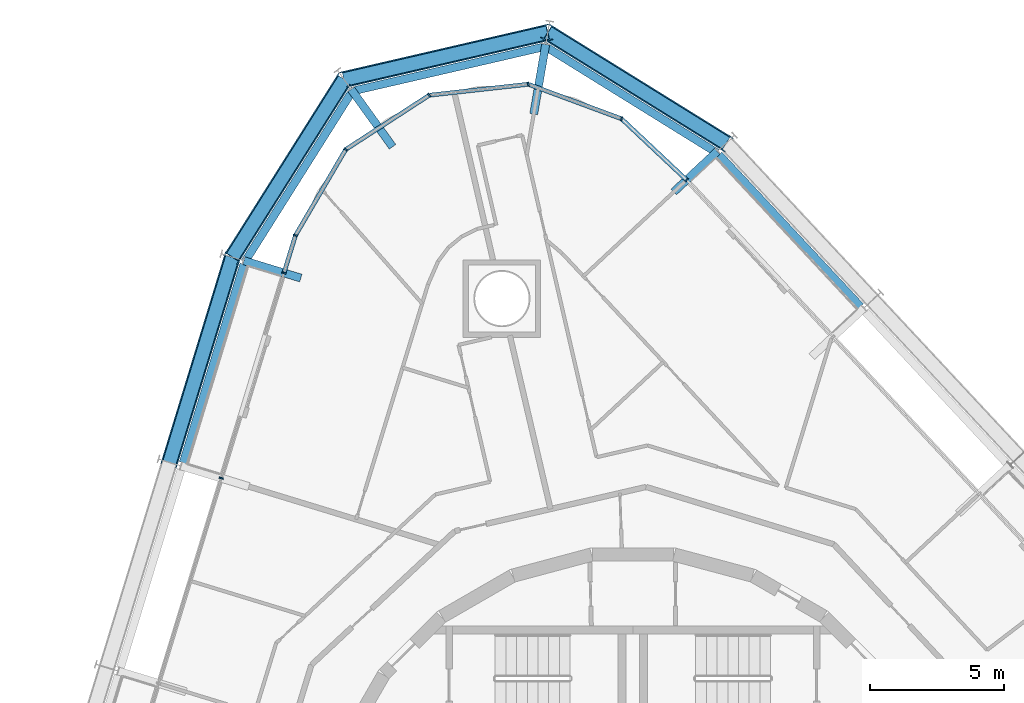
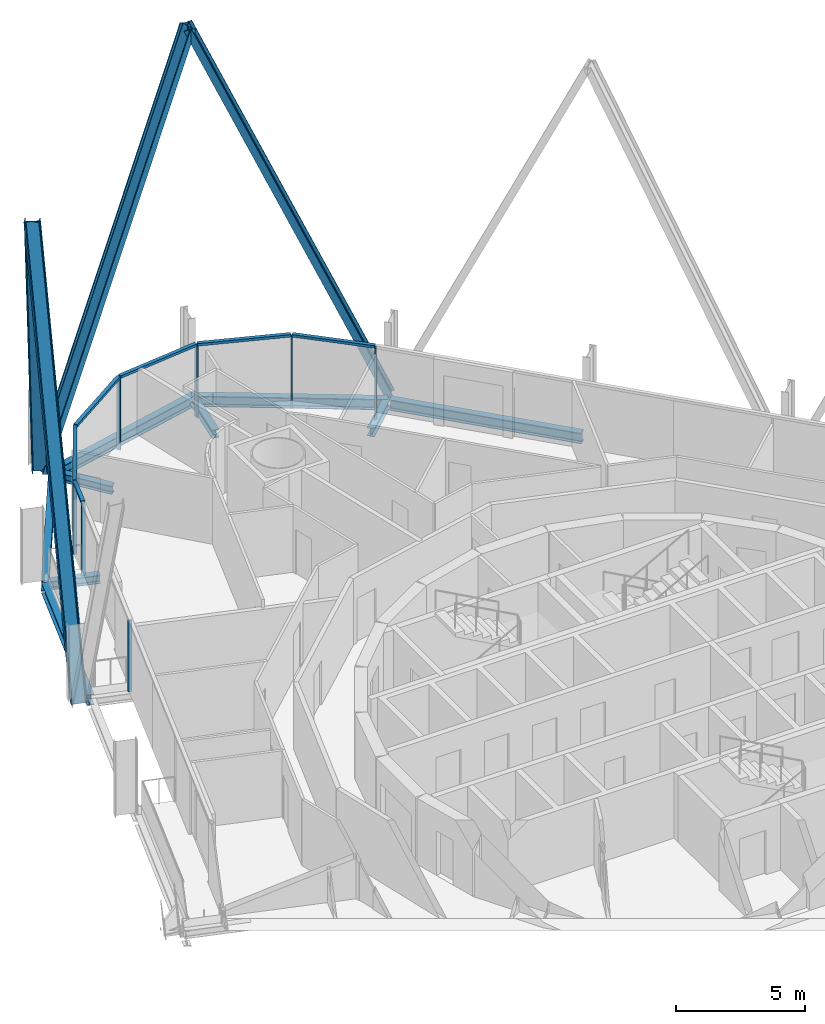
# One storey, part 8 of 18: 18 members, 9 beams, 2 elements without a shape of their own.
"""IFC4 building model written with IfcOpenShell, lengths in metres."""

from ifc_helpers import new_model, si_unit, direction, frame, origin, origin_2d, place, context, subcontext, project, spatial, rectangle, i_section, extrude, material, layer, layer_set, material_profile, profile_set, type_object, element, aggregate, save


model = new_model("IFC4")

# Units and contexts
model_context = context("Model", 3, precision=1e-05, world=origin(), true_north=direction((0.0, 1.0)))
body_context = subcontext(model_context, "Body", "Model", "MODEL_VIEW")
ifc_project = project(units=[si_unit("LENGTHUNIT", "METRE"), si_unit("AREAUNIT", "SQUARE_METRE"), si_unit("VOLUMEUNIT", "CUBIC_METRE"), si_unit("PLANEANGLEUNIT", "RADIAN"), si_unit("MASSUNIT", "GRAM", prefix="KILO")], contexts=[model_context])

# Site, building, storey
site_placement = place(None, origin())
site = spatial("IfcSite", under=ifc_project, at=site_placement, CompositionType="ELEMENT")
building_placement = place(site_placement, origin())
building = spatial("IfcBuilding", under=site, at=building_placement, Name="Spindle Arch Residences", CompositionType="ELEMENT")
storey_placement = place(building_placement, frame((0.0, 0.0, 127.39990234375)))
storey = spatial("IfcBuildingStorey", under=building, at=storey_placement, Name="L31", CompositionType="ELEMENT", Elevation=127.39990234375)

# Curtain wall, members
ifc_material_1 = material(Name="Aluminium bronze unitised frame with tinted glass", Category="aluminium")
ifc_layer_1 = layer(ifc_material_1, 0.159912109375)
ifc_layer_set_1 = layer_set([ifc_layer_1], Name="CW-D corner wall on the fillet arcs")
curtain_wall_type_1 = type_object("IfcCurtainWallType", Name="CW-D corner wall on the fillet arcs", PredefinedType="NOTDEFINED", material=ifc_layer_set_1)
curtain_wall_1_placement = place(storey_placement, origin())
curtain_wall_1 = element("IfcCurtainWall", 1, at=curtain_wall_1_placement, inside=storey, type_object=curtain_wall_type_1, Name="CW-D L31 run 3", PredefinedType="NOTDEFINED")
ifc_material_2 = material(Name="Aluminium bronze anodised mullion", Category="aluminium")
ifc_material_profile_1 = material_profile(ifc_material_2, rectangle(XDim=0.159912109375, YDim=0.06005859375, at=origin_2d()), Name="MU 60x160")
ifc_profile_set_1 = profile_set([ifc_material_profile_1], Name="Aluminium bronze anodised mullion")
member_type_1 = type_object("IfcMemberType", Name="Bronze mullion 60x160", PredefinedType="MULLION", material=ifc_profile_set_1)
member_1_placement = place(storey_placement, frame((2.010009765625, 25.6611328125, -0.3798828125), z_axis=(0.0, 0.0, 1.0), x_axis=(-0.685289870681, -0.728270412102, 0.0)))
member_1 = element("IfcMember", 2, at=member_1_placement, type_object=member_type_1, Name="CW-D mullion 00", PredefinedType="MULLION", context=body_context, shape_type="SweptSolid", body=[
    extrude(rectangle(XDim=0.159912109375, YDim=0.06005859375, at=origin_2d()), origin(), (0.0, 0.0, 1.0), 3.3798828125),
])
member_2_placement = place(storey_placement, frame((-0.420654296875, 27.9482421875, -0.3798828125), z_axis=(0.0, 0.0, 1.0), x_axis=(-0.347481235896, -0.937686936403, 0.0)))
member_2 = element("IfcMember", 3, at=member_2_placement, type_object=member_type_1, Name="CW-D mullion 01", PredefinedType="MULLION", context=body_context, shape_type="SweptSolid", body=[
    extrude(rectangle(XDim=0.159912109375, YDim=0.06005859375, at=origin_2d()), origin(), (0.0, 0.0, 1.0), 3.3798828125),
])
member_3_placement = place(storey_placement, frame((-3.9150390625, 29.243408203125, -0.3798828125), z_axis=(0.0, 0.0, 1.0), x_axis=(0.110312556619, -0.993896946294, 0.0)))
member_3 = element("IfcMember", 4, at=member_3_placement, type_object=member_type_1, Name="CW-D mullion 02", PredefinedType="MULLION", context=body_context, shape_type="SweptSolid", body=[
    extrude(rectangle(XDim=0.159912109375, YDim=0.06005859375, at=origin_2d()), origin(), (0.0, 0.0, 1.0), 3.3798828125),
])
member_4_placement = place(storey_placement, frame((-7.619140625, 28.832275390625, -0.3798828125), z_axis=(0.0, 0.0, 1.0), x_axis=(0.544639035308, -0.838670567755, 0.0)))
member_4 = element("IfcMember", 5, at=member_4_placement, type_object=member_type_1, Name="CW-D mullion 03", PredefinedType="MULLION", context=body_context, shape_type="SweptSolid", body=[
    extrude(rectangle(XDim=0.159912109375, YDim=0.06005859375, at=origin_2d()), origin(), (0.0, 0.0, 1.0), 3.3798828125),
])
member_5_placement = place(storey_placement, frame((-10.74462890625, 26.802490234375, -0.3798828125), z_axis=(0.0, 0.0, 1.0), x_axis=(0.863101880723, -0.505029844161, 0.0)))
member_5 = element("IfcMember", 6, at=member_5_placement, type_object=member_type_1, Name="CW-D mullion 04", PredefinedType="MULLION", context=body_context, shape_type="SweptSolid", body=[
    extrude(rectangle(XDim=0.159912109375, YDim=0.06005859375, at=origin_2d()), origin(), (0.0, 0.0, 1.0), 3.3798828125),
])
member_6_placement = place(storey_placement, frame((-12.626708984375, 23.5859375, -0.3798828125), z_axis=(0.0, 0.0, 1.0), x_axis=(0.956304755963, -0.292371704723, 0.0)))
member_6 = element("IfcMember", 7, at=member_6_placement, type_object=member_type_1, Name="CW-D mullion 05", PredefinedType="MULLION", context=body_context, shape_type="SweptSolid", body=[
    extrude(rectangle(XDim=0.159912109375, YDim=0.06005859375, at=origin_2d()), origin(), (0.0, 0.0, 1.0), 3.3798828125),
])

ifc_material_3 = material(Name="Aluminium bronze unitised frame with tinted glass", Category="aluminium")
ifc_layer_2 = layer(ifc_material_3, 0.159912109375)
ifc_layer_set_2 = layer_set([ifc_layer_2], Name="CW-C typical residential unitised wall")
curtain_wall_type_2 = type_object("IfcCurtainWallType", Name="CW-C typical residential unitised wall", PredefinedType="NOTDEFINED", material=ifc_layer_set_2)
curtain_wall_2_placement = place(storey_placement, origin())
curtain_wall_2 = element("IfcCurtainWall", 8, at=curtain_wall_2_placement, inside=storey, type_object=curtain_wall_type_2, Name="CW-C L31 run 4", PredefinedType="NOTDEFINED")
member_7_placement = place(storey_placement, frame((-13.0556640625, 22.182861328125, -0.3798828125), z_axis=(0.0, 0.0, 1.0), x_axis=(0.956304755963, -0.292371704723, 0.0)))
member_7 = element("IfcMember", 9, at=member_7_placement, type_object=member_type_1, Name="CW-C mullion 12", PredefinedType="MULLION", context=body_context, shape_type="SweptSolid", body=[
    extrude(rectangle(XDim=0.159912109375, YDim=0.06005859375, at=origin_2d()), origin(), (0.0, 0.0, 1.0), 3.3798828125),
])
member_8_placement = place(storey_placement, frame((-15.4033203125, 14.504638671875, -0.3798828125), z_axis=(0.0, 0.0, 1.0), x_axis=(0.956304755963, -0.292371704723, 0.0)))
member_8 = element("IfcMember", 10, at=member_8_placement, type_object=member_type_1, Name="CW-C mullion 13", PredefinedType="MULLION", context=body_context, shape_type="SweptSolid", body=[
    extrude(rectangle(XDim=0.159912109375, YDim=0.06005859375, at=origin_2d()), origin(), (0.0, 0.0, 1.0), 3.3798828125),
])
aggregate(curtain_wall_2, [member_7, member_8])

# Member
ifc_material_4 = material(Name="Aluminium bronze anodised transom", Category="aluminium")
ifc_material_profile_2 = material_profile(ifc_material_4, rectangle(XDim=0.159912109375, YDim=0.1201171875, at=origin_2d()), Name="TR 120x160")
ifc_profile_set_2 = profile_set([ifc_material_profile_2], Name="Aluminium bronze anodised transom")
member_type_2 = type_object("IfcMemberType", Name="Bronze transom 120x160", PredefinedType="USERDEFINED", material=ifc_profile_set_2)
member_9_placement = place(storey_placement, frame((1.98828125, 25.681640625, 3.06005859375), z_axis=(-0.72826996669, 0.685290344027, 0.0), x_axis=(-0.685290344027, -0.72826996669, 0.0)))
member_9 = element("IfcMember", 11, at=member_9_placement, type_object=member_type_2, Name="CW-D transom 00", ObjectType="TRANSOM", PredefinedType="USERDEFINED", context=body_context, shape_type="SweptSolid", body=[
    extrude(rectangle(XDim=0.159912109375, YDim=0.1201171875, at=origin_2d()), origin(), (0.0, 0.0, 1.0), 3.277587890625),
])

member_10_placement = place(storey_placement, frame((-0.44873046875, 27.958740234375, 3.06005859375), z_axis=(-0.937682080581, 0.347494339172, 0.0), x_axis=(-0.347494339172, -0.937682080581, 0.0)))
member_10 = element("IfcMember", 12, at=member_10_placement, type_object=member_type_2, Name="CW-D transom 01", ObjectType="TRANSOM", PredefinedType="USERDEFINED", context=body_context, shape_type="SweptSolid", body=[
    extrude(rectangle(XDim=0.159912109375, YDim=0.1201171875, at=origin_2d()), origin(), (0.0, 0.0, 1.0), 3.666748046875),
])

member_11_placement = place(storey_placement, frame((-3.945068359375, 29.239990234375, 3.06005859375), z_axis=(-0.993895097359, -0.110329213929, 0.0), x_axis=(0.110329213929, -0.993895097359, 0.0)))
member_11 = element("IfcMember", 13, at=member_11_placement, type_object=member_type_2, Name="CW-D transom 02", ObjectType="TRANSOM", PredefinedType="USERDEFINED", context=body_context, shape_type="SweptSolid", body=[
    extrude(rectangle(XDim=0.159912109375, YDim=0.1201171875, at=origin_2d()), origin(), (0.0, 0.0, 1.0), 3.666748046875),
])

member_12_placement = place(storey_placement, frame((-7.644287109375, 28.81591796875, 3.06005859375), z_axis=(-0.838668683676, -0.544641936525, 0.0), x_axis=(0.544641936525, -0.838668683676, 0.0)))
member_12 = element("IfcMember", 14, at=member_12_placement, type_object=member_type_2, Name="CW-D transom 03", ObjectType="TRANSOM", PredefinedType="USERDEFINED", context=body_context, shape_type="SweptSolid", body=[
    extrude(rectangle(XDim=0.159912109375, YDim=0.1201171875, at=origin_2d()), origin(), (0.0, 0.0, 1.0), 3.666748046875),
])

member_13_placement = place(storey_placement, frame((-10.759765625, 26.776611328125, 3.06005859375), z_axis=(-0.505025585574, -0.86310437255, 0.0), x_axis=(0.86310437255, -0.505025585574, 0.0)))
member_13 = element("IfcMember", 15, at=member_13_placement, type_object=member_type_2, Name="CW-D transom 04", ObjectType="TRANSOM", PredefinedType="USERDEFINED", context=body_context, shape_type="SweptSolid", body=[
    extrude(rectangle(XDim=0.159912109375, YDim=0.1201171875, at=origin_2d()), origin(), (0.0, 0.0, 1.0), 3.666748046875),
])

member_14_placement = place(storey_placement, frame((-12.635498046875, 23.55712890625, 3.06005859375), z_axis=(-0.292390464398, -0.956299020354, 0.0), x_axis=(0.956299020354, -0.292390464398, 0.0)))
member_14 = element("IfcMember", 16, at=member_14_placement, type_object=member_type_2, Name="CW-D transom 05", ObjectType="TRANSOM", PredefinedType="USERDEFINED", context=body_context, shape_type="SweptSolid", body=[
    extrude(rectangle(XDim=0.159912109375, YDim=0.1201171875, at=origin_2d()), origin(), (0.0, 0.0, 1.0), 1.406982421875),
])

aggregate(curtain_wall_1, [member_1, member_9, member_2, member_10, member_3, member_11, member_4, member_12, member_5, member_13, member_6, member_14])

# Members
ifc_material_5 = material(Name="Steel S460ML, intumescent coating R 240", Category="steel")
ifc_material_profile_3 = material_profile(ifc_material_5, i_section(OverallWidth=0.304931640625, OverallDepth=0.6201171875, WebThickness=0.02099609375, FlangeThickness=0.0400390625, FilletRadius=0.027099609375, at=origin_2d()), Name="HEM 600")
ifc_profile_set_3 = profile_set([ifc_material_profile_3], Name="Steel S460ML, intumescent coating R 240")
member_type_3 = type_object("IfcMemberType", Name="Diagrid diagonal HEM 600", PredefinedType="BRACE", material=ifc_profile_set_3)
member_15_placement = place(storey_placement, frame((3.4873046875, 27.038818359375, -0.6298828125), z_axis=(-0.351675810777, 0.218100508312, 0.910360528795), x_axis=(0.773657260685, -0.479802808847, 0.41381603112)))
element("IfcMember", 17, at=member_15_placement, inside=storey, type_object=member_type_3, Name="Diagrid diagonal 3.2.10", PredefinedType="BRACE", context=body_context, shape_type="SweptSolid", body=[
    extrude(i_section(OverallWidth=0.304931640625, OverallDepth=0.6201171875, WebThickness=0.02099609375, FlangeThickness=0.0400390625, FilletRadius=0.027099609375, at=origin_2d()), origin(), (0.0, 0.0, 1.0), 18.9736328125),
])
member_16_placement = place(storey_placement, frame((-10.80419921875, 29.41796875, -0.6298828125), z_axis=(0.401832172888, 0.092774082919, 0.911001577589), x_axis=(-0.887650818484, -0.204938768455, 0.412402868115)))
element("IfcMember", 18, at=member_16_placement, inside=storey, type_object=member_type_3, Name="Diagrid diagonal 3.2.11", PredefinedType="BRACE", context=body_context, shape_type="SweptSolid", body=[
    extrude(i_section(OverallWidth=0.304931640625, OverallDepth=0.6201171875, WebThickness=0.02099609375, FlangeThickness=0.0400390625, FilletRadius=0.027099609375, at=origin_2d()), origin(), (0.0, 0.0, 1.0), 18.96044921875),
])
member_17_placement = place(storey_placement, frame((-10.80419921875, 29.41796875, -0.6298828125), z_axis=(-0.220468115497, -0.350196114823, 0.910360637996), x_axis=(0.485011685638, 0.770402593458, 0.413815790887)))
element("IfcMember", 19, at=member_17_placement, inside=storey, type_object=member_type_3, Name="Diagrid diagonal 3.2.12", PredefinedType="BRACE", context=body_context, shape_type="SweptSolid", body=[
    extrude(i_section(OverallWidth=0.304931640625, OverallDepth=0.6201171875, WebThickness=0.02099609375, FlangeThickness=0.0400390625, FilletRadius=0.027099609375, at=origin_2d()), origin(), (0.0, 0.0, 1.0), 18.9736328125),
])
member_18_placement = place(storey_placement, frame((-17.3349609375, 15.09521484375, -0.6298828125), z_axis=(0.12325032655, 0.403101369591, 0.906817866409), x_axis=(-0.265147303858, -0.867188301406, 0.421522665062)))
element("IfcMember", 20, at=member_18_placement, inside=storey, type_object=member_type_3, Name="Diagrid diagonal 3.2.13", PredefinedType="BRACE", context=body_context, shape_type="SweptSolid", body=[
    extrude(i_section(OverallWidth=0.304931640625, OverallDepth=0.6201171875, WebThickness=0.02099609375, FlangeThickness=0.0400390625, FilletRadius=0.027099609375, at=origin_2d()), origin(), (0.0, 0.0, 1.0), 19.0478515625),
])

# Beams
ifc_material_6 = material(Name="Steel S460ML, intumescent coating R 120", Category="steel")
ifc_material_profile_4 = material_profile(ifc_material_6, i_section(OverallWidth=0.300048828125, OverallDepth=0.5, WebThickness=0.014404296875, FlangeThickness=0.028076171875, FilletRadius=0.027099609375, at=origin_2d()), Name="HEB 500")
ifc_profile_set_4 = profile_set([ifc_material_profile_4], Name="Steel S460ML, intumescent coating R 120")
beam_type_1 = type_object("IfcBeamType", Name="Exoskeleton edge beam HEB 500", PredefinedType="BEAM", material=ifc_profile_set_4)
beam_1_placement = place(storey_placement, frame((8.51611328125, 20.927490234375, -0.6298828125), z_axis=(-0.681975565737, 0.731374957007, 0.0), x_axis=(-0.731374957007, -0.681975565737, 0.0)))
element("IfcBeam", 21, at=beam_1_placement, inside=storey, type_object=beam_type_1, Name="Exoskeleton edge beam 9", PredefinedType="BEAM", context=body_context, shape_type="SweptSolid", body=[
    extrude(i_section(OverallWidth=0.300048828125, OverallDepth=0.5, WebThickness=0.014404296875, FlangeThickness=0.028076171875, FilletRadius=0.027099609375, at=origin_2d()), origin(), (0.0, 0.0, 1.0), 7.76904296875),
])
beam_2_placement = place(storey_placement, frame((3.14404296875, 26.67626953125, -0.6298828125), z_axis=(-0.849846805049, 0.52702979797, 0.0), x_axis=(-0.52702979797, -0.849846805049, 0.0)))
element("IfcBeam", 22, at=beam_2_placement, inside=storey, type_object=beam_type_1, Name="Exoskeleton edge beam 10", PredefinedType="BEAM", context=body_context, shape_type="SweptSolid", body=[
    extrude(i_section(OverallWidth=0.300048828125, OverallDepth=0.5, WebThickness=0.014404296875, FlangeThickness=0.028076171875, FilletRadius=0.027099609375, at=origin_2d()), origin(), (0.0, 0.0, 1.0), 7.591552734375),
])
beam_3_placement = place(storey_placement, frame((-3.20166015625, 30.670166015625, -0.6298828125), z_axis=(-0.974372141151, -0.224942060428, 0.0), x_axis=(0.224942060428, -0.974372141151, 0.0)))
element("IfcBeam", 23, at=beam_3_placement, inside=storey, type_object=beam_type_1, Name="Exoskeleton edge beam 11", PredefinedType="BEAM", context=body_context, shape_type="SweptSolid", body=[
    extrude(i_section(OverallWidth=0.300048828125, OverallDepth=0.5, WebThickness=0.014404296875, FlangeThickness=0.028076171875, FilletRadius=0.027099609375, at=origin_2d()), origin(), (0.0, 0.0, 1.0), 7.5595703125),
])
beam_4_placement = place(storey_placement, frame((-10.47509765625, 29.022705078125, -0.6298828125), z_axis=(-0.532774034173, -0.846257542661, 0.0), x_axis=(0.846257542661, -0.532774034173, 0.0)))
element("IfcBeam", 24, at=beam_4_placement, inside=storey, type_object=beam_type_1, Name="Exoskeleton edge beam 12", PredefinedType="BEAM", context=body_context, shape_type="SweptSolid", body=[
    extrude(i_section(OverallWidth=0.300048828125, OverallDepth=0.5, WebThickness=0.014404296875, FlangeThickness=0.028076171875, FilletRadius=0.027099609375, at=origin_2d()), origin(), (0.0, 0.0, 1.0), 7.591796875),
])
beam_5_placement = place(storey_placement, frame((-14.556884765625, 22.505859375, -0.6298828125), z_axis=(-0.292380603236, -0.956302035369, 0.0), x_axis=(0.956302035369, -0.292380603236, 0.0)))
element("IfcBeam", 25, at=beam_5_placement, inside=storey, type_object=beam_type_1, Name="Exoskeleton edge beam 13", PredefinedType="BEAM", context=body_context, shape_type="SweptSolid", body=[
    extrude(i_section(OverallWidth=0.300048828125, OverallDepth=0.5, WebThickness=0.014404296875, FlangeThickness=0.028076171875, FilletRadius=0.027099609375, at=origin_2d()), origin(), (0.0, 0.0, 1.0), 7.76904296875),
])
ifc_material_7 = material(Name="Steel S460ML, intumescent coating R 120", Category="steel")
ifc_material_profile_5 = material_profile(ifc_material_7, i_section(OverallWidth=0.300048828125, OverallDepth=0.389892578125, WebThickness=0.010986328125, FlangeThickness=0.01904296875, FilletRadius=0.027099609375, at=origin_2d()), Name="HEA 400")
ifc_profile_set_5 = profile_set([ifc_material_profile_5], Name="Steel S460ML, intumescent coating R 120")
beam_type_2 = type_object("IfcBeamType", Name="Floor outrigger HEA 400", PredefinedType="BEAM", material=ifc_profile_set_5)
beam_6_placement = place(storey_placement, frame((3.158203125, 26.73193359375, -0.574951171875), z_axis=(-0.73130638013, -0.682049102618, 0.0), x_axis=(0.682049102618, -0.73130638013, 0.0)))
element("IfcBeam", 26, at=beam_6_placement, inside=storey, type_object=beam_type_2, Name="Floor outrigger 10", PredefinedType="BEAM", context=body_context, shape_type="SweptSolid", body=[
    extrude(i_section(OverallWidth=0.300048828125, OverallDepth=0.389892578125, WebThickness=0.010986328125, FlangeThickness=0.01904296875, FilletRadius=0.027099609375, at=origin_2d()), origin(), (0.0, 0.0, 1.0), 2.23046875),
])
for number, where, z_axis, x_axis, name in (
    (27, (-3.26171875, 30.7333984375, -0.574951171875), (-0.169700209351, -0.985495732587, 0.0), (0.985495732587, -0.169700209351, 0.0), "Floor outrigger 11"),
    (28, (-10.541015625, 29.052734375, -0.574951171875), (0.584588663969, -0.811329830561, 0.0), (0.811329830561, 0.584588663969, 0.0), "Floor outrigger 12"),
):
    element("IfcBeam", number, at=place(storey_placement, frame(where, z_axis=z_axis, x_axis=x_axis)), inside=storey, type_object=beam_type_2, Name=name, PredefinedType="BEAM", context=body_context, shape_type="SweptSolid", body=[
        extrude(i_section(OverallWidth=0.300048828125, OverallDepth=0.389892578125, WebThickness=0.010986328125, FlangeThickness=0.01904296875, FilletRadius=0.027099609375, at=origin_2d()), origin(), (0.0, 0.0, 1.0), 2.64990234375),
    ])
beam_7_placement = place(storey_placement, frame((-14.55712890625, 22.641845703125, -0.574951171875), z_axis=(0.956331173438, -0.292285283091, 0.0), x_axis=(0.292285283091, 0.956331173438, 0.0)))
element("IfcBeam", 29, at=beam_7_placement, inside=storey, type_object=beam_type_2, Name="Floor outrigger 13", PredefinedType="BEAM", context=body_context, shape_type="SweptSolid", body=[
    extrude(i_section(OverallWidth=0.300048828125, OverallDepth=0.389892578125, WebThickness=0.010986328125, FlangeThickness=0.01904296875, FilletRadius=0.027099609375, at=origin_2d()), origin(), (0.0, 0.0, 1.0), 2.230224609375),
])

save(model, "model.ifc")
